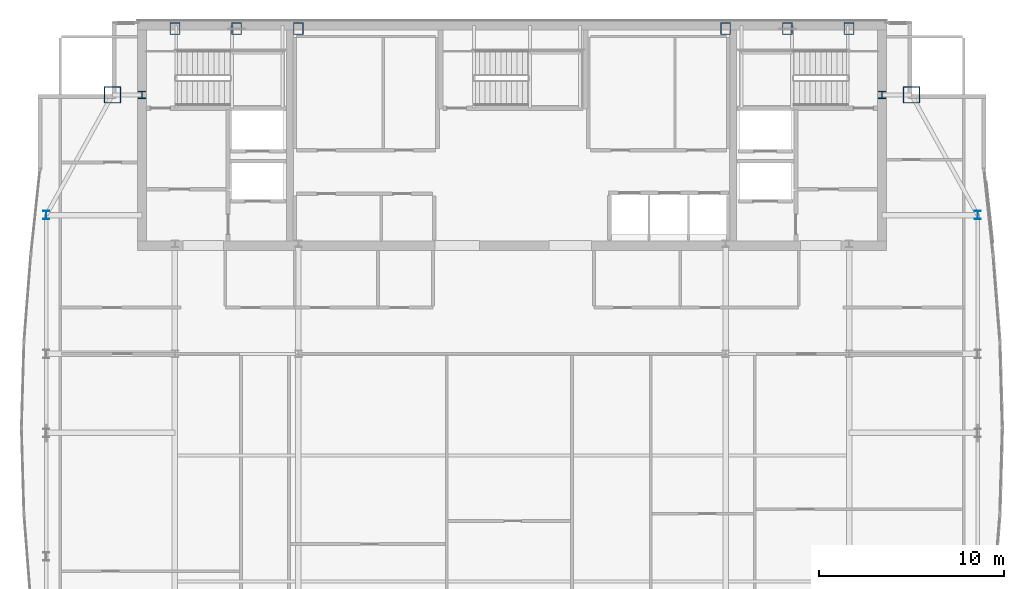
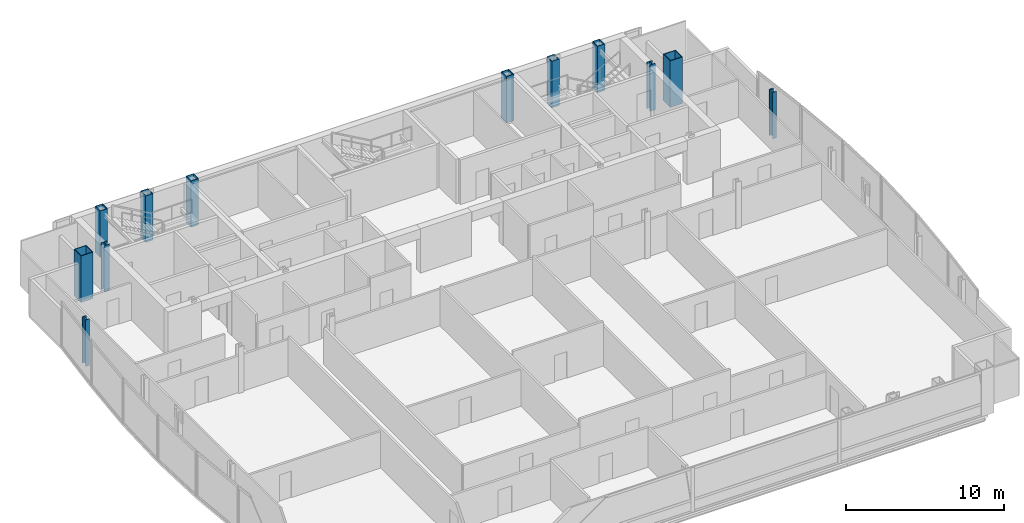
# One storey, part 3 of 27: 12 columns.
"""IFC4 building model written with IfcOpenShell, lengths in metres."""

from ifc_helpers import new_model, si_unit, direction, frame, origin, origin_2d, place, context, subcontext, project, spatial, hollow_rectangle, i_section, extrude, material, material_profile, profile_set, type_object, element, save


model = new_model("IFC4")

# Units and contexts
model_context = context("Model", 3, precision=1e-05, world=origin(), true_north=direction((0.0, 1.0)))
body_context = subcontext(model_context, "Body", "Model", "MODEL_VIEW")
ifc_project = project(units=[si_unit("LENGTHUNIT", "METRE"), si_unit("AREAUNIT", "SQUARE_METRE"), si_unit("VOLUMEUNIT", "CUBIC_METRE"), si_unit("PLANEANGLEUNIT", "RADIAN"), si_unit("MASSUNIT", "GRAM", prefix="KILO")], contexts=[model_context])

# Site, building, storey
site_placement = place(None, origin())
site = spatial("IfcSite", under=ifc_project, at=site_placement, CompositionType="ELEMENT")
building_placement = place(site_placement, origin())
building = spatial("IfcBuilding", under=site, at=building_placement, Name="Khoronbel Lancet Exchange", CompositionType="ELEMENT")
storey_placement = place(building_placement, frame((0.0, 0.0, 343.39990234375)))
storey = spatial("IfcBuildingStorey", under=building, at=storey_placement, Name="L89", CompositionType="ELEMENT", Elevation=343.39990234375)

# Columns
ifc_material_1 = material(Name="Steel S460", Category="steel")
ifc_material_profile_1 = material_profile(ifc_material_1, hollow_rectangle(XDim=0.550048828125, YDim=0.64990234375, WallThickness=0.0400390625, at=origin_2d()), Name="BOX 650x550x40")
ifc_profile_set_1 = profile_set([ifc_material_profile_1], Name="Steel S460")
column_type_1 = type_object("IfcColumnType", Name="COL-EC4", PredefinedType="COLUMN", material=ifc_profile_set_1)
for number, where, z_axis, x_axis, name in (
    (1, (18.22509765625, 53.280029296875, 0.0), (0.0, 0.0, 1.0), (1.0, 0.0, 0.0), "Structural column NC-W1 L89"),
    (2, (21.5625, 53.280029296875, 0.0), (0.0, 0.0, 1.0), (1.0, 0.0, 0.0), "Structural column NC-WM L89"),
    (3, (24.89990234375, 53.280029296875, 0.0), (0.0, 0.0, 1.0), (1.0, 0.0, 0.0), "Structural column NC-W2 L89"),
    (4, (48.0, 53.280029296875, 0.0), (0.0, 0.0, 1.0), (1.0, 0.0, 0.0), "Structural column NC-E1 L89"),
    (5, (51.33740234375, 53.280029296875, 0.0), (0.0, 0.0, 1.0), (1.0, 0.0, 0.0), "Structural column NC-EM L89"),
    (6, (54.675048828125, 53.280029296875, 0.0), (0.0, 0.0, 1.0), (1.0, 0.0, 0.0), "Structural column NC-E2 L89"),
):
    element("IfcColumn", number, at=place(storey_placement, frame(where, z_axis=z_axis, x_axis=x_axis)), inside=storey, type_object=column_type_1, Name=name, PredefinedType="COLUMN", context=body_context, shape_type="SweptSolid", body=[
        extrude(hollow_rectangle(XDim=0.550048828125, YDim=0.64990234375, WallThickness=0.0400390625, at=origin_2d()), origin(), (0.0, 0.0, 1.0), 3.60009765625),
    ])
ifc_material_2 = material(Name="Steel S355", Category="steel")
ifc_material_profile_2 = material_profile(ifc_material_2, i_section(OverallWidth=0.39892578125, OverallDepth=0.39306640625, WebThickness=0.022705078125, FlangeThickness=0.03662109375, at=origin_2d()), Name="HD 400x287")
ifc_profile_set_2 = profile_set([ifc_material_profile_2], Name="Steel S355")
column_type_2 = type_object("IfcColumnType", Name="COL-IC4", PredefinedType="COLUMN", material=ifc_profile_set_2)
for number, where, z_axis, x_axis, name in (
    (7, (16.449951171875, 49.699951171875, 0.0), (0.0, 0.0, 1.0), (1.0, 0.0, 0.0), "Core-flank plumb transfer column CFW L89"),
    (8, (56.449951171875, 49.699951171875, 0.0), (0.0, 0.0, 1.0), (1.0, 0.0, 0.0), "Core-flank plumb transfer column CFE L89"),
):
    element("IfcColumn", number, at=place(storey_placement, frame(where, z_axis=z_axis, x_axis=x_axis)), inside=storey, type_object=column_type_2, Name=name, PredefinedType="COLUMN", context=body_context, shape_type="SweptSolid", body=[
        extrude(i_section(OverallWidth=0.39892578125, OverallDepth=0.39306640625, WebThickness=0.022705078125, FlangeThickness=0.03662109375, at=origin_2d()), origin(), (0.0, 0.0, 1.0), 3.60009765625),
    ])
ifc_material_profile_3 = material_profile(ifc_material_2, i_section(OverallWidth=0.300048828125, OverallDepth=0.449951171875, WebThickness=0.013916015625, FlangeThickness=0.02587890625, at=origin_2d()), Name="HEB 450")
ifc_profile_set_3 = profile_set([ifc_material_profile_3], Name="Steel S355")
column_type_3 = type_object("IfcColumnType", Name="COL-LC2", PredefinedType="COLUMN", material=ifc_profile_set_3)
for number, where, z_axis, x_axis, name in (
    (9, (11.27001953125, 43.199951171875, 0.0), (0.0, 0.0, 1.0), (1.0, 0.0, 0.0), "Structural column WC-4 L89"),
    (10, (61.6298828125, 43.199951171875, 0.0), (0.0, 0.0, 1.0), (1.0, 0.0, 0.0), "Structural column EC-4 L89"),
):
    element("IfcColumn", number, at=place(storey_placement, frame(where, z_axis=z_axis, x_axis=x_axis)), inside=storey, type_object=column_type_3, Name=name, PredefinedType="COLUMN", context=body_context, shape_type="SweptSolid", body=[
        extrude(i_section(OverallWidth=0.300048828125, OverallDepth=0.449951171875, WebThickness=0.013916015625, FlangeThickness=0.02587890625, at=origin_2d()), origin(), (0.0, 0.0, 1.0), 3.60009765625),
    ])
ifc_material_profile_4 = material_profile(ifc_material_1, hollow_rectangle(XDim=0.89990234375, YDim=0.89990234375, WallThickness=0.050048828125, at=origin_2d()), Name="BOX 900x900x50")
ifc_profile_set_4 = profile_set([ifc_material_profile_4], Name="Steel S460")
column_type_4 = type_object("IfcColumnType", Name="COL-MC7", PredefinedType="COLUMN", material=ifc_profile_set_4)
for number, where, z_axis, x_axis, name in (
    (11, (58.050048828125, 49.699951171875, 0.0), (0.0, 0.0, 1.0), (1.0, 0.0, 0.0), "Structural column MC-NE L89"),
    (12, (14.85009765625, 49.699951171875, 0.0), (0.0, 0.0, 1.0), (1.0, 0.0, 0.0), "Structural column MC-NW L89"),
):
    element("IfcColumn", number, at=place(storey_placement, frame(where, z_axis=z_axis, x_axis=x_axis)), inside=storey, type_object=column_type_4, Name=name, PredefinedType="COLUMN", context=body_context, shape_type="SweptSolid", body=[
        extrude(hollow_rectangle(XDim=0.89990234375, YDim=0.89990234375, WallThickness=0.050048828125, at=origin_2d()), origin(), (0.0, 0.0, 1.0), 3.60009765625),
    ])

save(model, "model.ifc")
